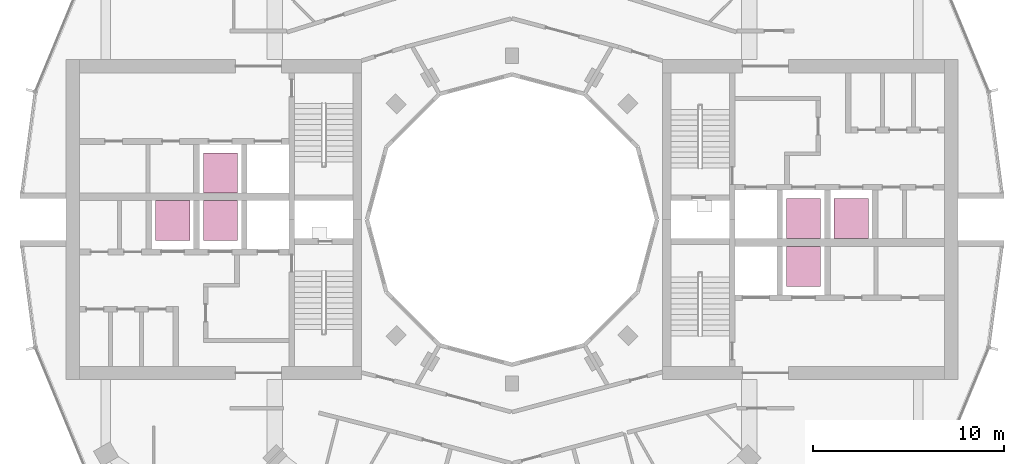
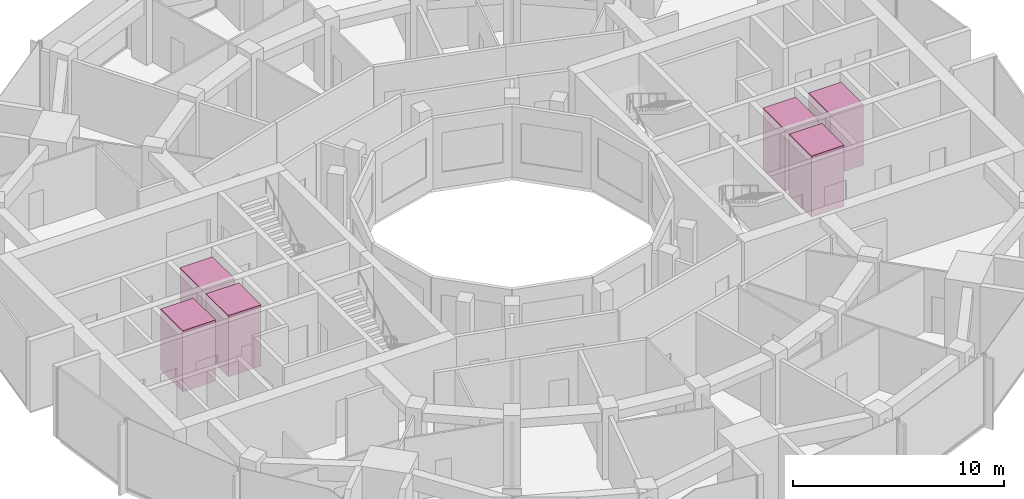
# One storey, part 15 of 15: 6 transport elements.
"""IFC4 building model written with IfcOpenShell, lengths in metres."""

from ifc_helpers import new_model, si_unit, direction, frame, origin, origin_2d, place, context, subcontext, project, spatial, rectangle, extrude, material, type_object, element, save


model = new_model("IFC4")

# Units and contexts
model_context = context("Model", 3, precision=1e-05, world=origin(), true_north=direction((0.0, 1.0)))
body_context = subcontext(model_context, "Body", "Model", "MODEL_VIEW")
ifc_project = project(units=[si_unit("LENGTHUNIT", "METRE"), si_unit("AREAUNIT", "SQUARE_METRE"), si_unit("VOLUMEUNIT", "CUBIC_METRE"), si_unit("PLANEANGLEUNIT", "RADIAN"), si_unit("MASSUNIT", "GRAM", prefix="KILO")], contexts=[model_context])

# Site, building, storey
site_placement = place(None, origin())
site = spatial("IfcSite", under=ifc_project, at=site_placement, CompositionType="ELEMENT")
building_placement = place(site_placement, origin())
building = spatial("IfcBuilding", under=site, at=building_placement, Name="Torre Brocal", CompositionType="ELEMENT")
storey_placement = place(building_placement, frame((0.0, 0.0, 174.10009765625)))
storey = spatial("IfcBuildingStorey", under=building, at=storey_placement, Name="L40", CompositionType="ELEMENT", Elevation=174.10009765625)

# Transport elements
ifc_material = material(Name="Stainless steel AISI 316", Category="steel")
transport_element_type = type_object("IfcTransportElementType", Name="PASSENGER LIFT", PredefinedType="ELEVATOR", material=ifc_material)
for number, where, z_axis, x_axis, name in (
    (1, (95.300048828125, 75.050048828125, 0.0), (0.0, 0.0, 1.0), (1.0, 0.0, 0.0), "HIGH RISE LIFT E-HR1"),
    (2, (95.300048828125, 72.550048828125, 0.0), (0.0, 0.0, 1.0), (1.0, 0.0, 0.0), "HIGH RISE LIFT E-HR2"),
    (3, (97.800048828125, 75.050048828125, 0.0), (0.0, 0.0, 1.0), (1.0, 0.0, 0.0), "HIGH RISE LIFT E-HR3"),
    (4, (64.699951171875, 74.949951171875, 0.0), (0.0, 0.0, 1.0), (1.0, 0.0, 0.0), "HIGH RISE LIFT W-HR1"),
    (5, (64.699951171875, 77.449951171875, 0.0), (0.0, 0.0, 1.0), (1.0, 0.0, 0.0), "HIGH RISE LIFT W-HR2"),
    (6, (62.199951171875, 74.949951171875, 0.0), (0.0, 0.0, 1.0), (1.0, 0.0, 0.0), "HIGH RISE LIFT W-HR3"),
):
    element("IfcTransportElement", number, at=place(storey_placement, frame(where, z_axis=z_axis, x_axis=x_axis)), inside=storey, type_object=transport_element_type, Name=name, PredefinedType="ELEVATOR", context=body_context, shape_type="SweptSolid", body=[
        extrude(rectangle(XDim=1.800048828125, YDim=2.10009765625, at=origin_2d()), origin(), (0.0, 0.0, 1.0), 3.550048828125),
    ])

save(model, "model.ifc")
